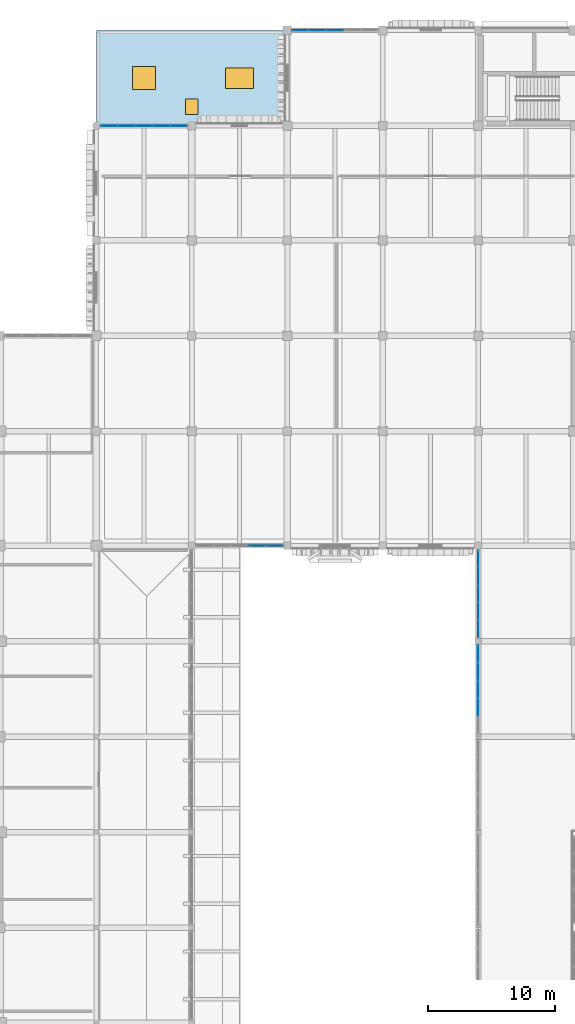
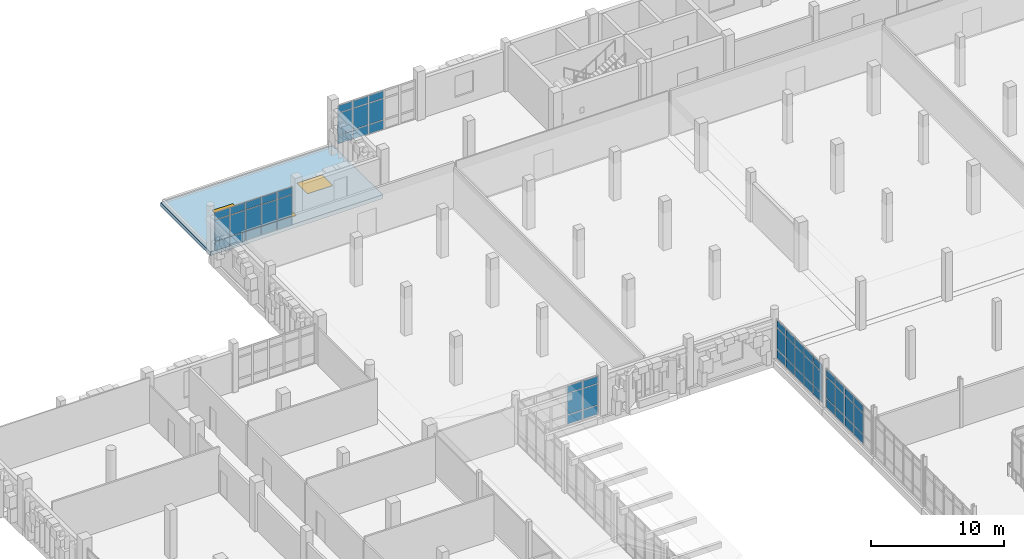
# One storey, part 83 of 128: 57 plates, 2 windows, 1 door, 1 slab, 3 openings, 5 elements without a shape of their own.
"""IFC4 building model written with IfcOpenShell, lengths in metres."""

from ifc_helpers import new_model, si_unit, direction, frame, origin, origin_2d, place, context, subcontext, project, spatial, polyline, rectangle, outline, extrude, material, layer, layer_set, type_object, element, fill, aggregate, save


model = new_model("IFC4")

# Units and contexts
model_context = context("Model", 3, precision=1e-05, world=origin(), true_north=direction((0.0, 1.0)))
body_context = subcontext(model_context, "Body", "Model", "MODEL_VIEW")
ifc_project = project(units=[si_unit("LENGTHUNIT", "METRE"), si_unit("AREAUNIT", "SQUARE_METRE"), si_unit("VOLUMEUNIT", "CUBIC_METRE"), si_unit("PLANEANGLEUNIT", "RADIAN"), si_unit("MASSUNIT", "GRAM", prefix="KILO")], contexts=[model_context])

# Site, building, storey
site_placement = place(None, origin())
site = spatial("IfcSite", under=ifc_project, at=site_placement, CompositionType="ELEMENT")
building_placement = place(site_placement, origin())
building = spatial("IfcBuilding", under=site, at=building_placement, Name="Dalvernix Boulevard General Hospital", CompositionType="ELEMENT")
storey_placement = place(building_placement, frame((0.0, 0.0, 4.800048828125)))
storey = spatial("IfcBuildingStorey", under=building, at=storey_placement, Name="L01", CompositionType="ELEMENT", Elevation=4.800048828125)

# Curtain wall, plates
ifc_material_1 = material(Name="Thermally broken aluminium and solar-control glass curtain wall", Category="aluminium")
ifc_layer_1 = layer(ifc_material_1, 0.159912109375)
ifc_layer_set_1 = layer_set([ifc_layer_1], Name="Thermally broken aluminium and solar-control glass curtain wall (CW-CW-A-69x36)")
curtain_wall_type_1 = type_object("IfcCurtainWallType", Name="CW-CW-A-69x36", PredefinedType="USERDEFINED", material=ifc_layer_set_1)
curtain_wall_1_placement = place(storey_placement, origin())
curtain_wall_1 = element("IfcCurtainWall", 1, at=curtain_wall_1_placement, inside=storey, type_object=curtain_wall_type_1, Name="L01 curtain wall CW-A-69x36 8-9", ObjectType="GLAZED FACADE", PredefinedType="USERDEFINED")
ifc_material_2 = material(Name="Double-glazed solar-control low-emissivity glass", Category="glass")
ifc_layer_2 = layer(ifc_material_2, 0.02392578125)
ifc_layer_set_2 = layer_set([ifc_layer_2], Name="Double-glazed solar-control low-emissivity glass (PLT-CW-P1)")
plate_type_1 = type_object("IfcPlateType", Name="PLT-CW-P1", PredefinedType="CURTAIN_PANEL", material=ifc_layer_set_2)
plate_1_placement = place(storey_placement, frame((60.0, 69.968017578125, 0.059814453125), z_axis=(0.0, 0.0, 1.0), x_axis=(0.0, 1.0, 0.0)))
plate_1 = element("IfcPlate", 2, at=plate_1_placement, type_object=plate_type_1, Name="CW-A-69x36 panel 1.1", PredefinedType="CURTAIN_PANEL", context=body_context, shape_type="SweptSolid", body=[
    extrude(rectangle(XDim=1.2958984375, YDim=0.02392578125, at=origin_2d()), origin(), (0.0, 0.0, 1.0), 0.81005859375),
])
plate_2_placement = place(storey_placement, frame((60.0, 69.968017578125, 0.929931640625), z_axis=(0.0, 0.0, 1.0), x_axis=(0.0, 1.0, 0.0)))
plate_2 = element("IfcPlate", 3, at=plate_2_placement, type_object=plate_type_1, Name="CW-A-69x36 panel 1.2", PredefinedType="CURTAIN_PANEL", context=body_context, shape_type="SweptSolid", body=[
    extrude(rectangle(XDim=1.2958984375, YDim=0.02392578125, at=origin_2d()), origin(), (0.0, 0.0, 1.0), 1.919921875),
])
plate_3_placement = place(storey_placement, frame((60.0, 69.968017578125, 2.91015625), z_axis=(0.0, 0.0, 1.0), x_axis=(0.0, 1.0, 0.0)))
plate_3 = element("IfcPlate", 4, at=plate_3_placement, type_object=plate_type_1, Name="CW-A-69x36 panel 1.3", PredefinedType="CURTAIN_PANEL", context=body_context, shape_type="SweptSolid", body=[
    extrude(rectangle(XDim=1.2958984375, YDim=0.02392578125, at=origin_2d()), origin(), (0.0, 0.0, 1.0), 0.659912109375),
])
plate_4_placement = place(storey_placement, frame((60.0, 71.339111328125, 0.059814453125), z_axis=(0.0, 0.0, 1.0), x_axis=(0.0, 1.0, 0.0)))
plate_4 = element("IfcPlate", 5, at=plate_4_placement, type_object=plate_type_1, Name="CW-A-69x36 panel 2.1", PredefinedType="CURTAIN_PANEL", context=body_context, shape_type="SweptSolid", body=[
    extrude(rectangle(XDim=1.325927734375, YDim=0.02392578125, at=origin_2d()), origin(), (0.0, 0.0, 1.0), 0.81005859375),
])
plate_5_placement = place(storey_placement, frame((60.0, 71.339111328125, 0.929931640625), z_axis=(0.0, 0.0, 1.0), x_axis=(0.0, 1.0, 0.0)))
plate_5 = element("IfcPlate", 6, at=plate_5_placement, type_object=plate_type_1, Name="CW-A-69x36 panel 2.2", PredefinedType="CURTAIN_PANEL", context=body_context, shape_type="SweptSolid", body=[
    extrude(rectangle(XDim=1.325927734375, YDim=0.02392578125, at=origin_2d()), origin(), (0.0, 0.0, 1.0), 1.919921875),
])
plate_6_placement = place(storey_placement, frame((60.0, 71.339111328125, 2.91015625), z_axis=(0.0, 0.0, 1.0), x_axis=(0.0, 1.0, 0.0)))
plate_6 = element("IfcPlate", 7, at=plate_6_placement, type_object=plate_type_1, Name="CW-A-69x36 panel 2.3", PredefinedType="CURTAIN_PANEL", context=body_context, shape_type="SweptSolid", body=[
    extrude(rectangle(XDim=1.325927734375, YDim=0.02392578125, at=origin_2d()), origin(), (0.0, 0.0, 1.0), 0.659912109375),
])
plate_7_placement = place(storey_placement, frame((60.0, 72.72509765625, 0.059814453125), z_axis=(0.0, 0.0, 1.0), x_axis=(0.0, 1.0, 0.0)))
plate_7 = element("IfcPlate", 8, at=plate_7_placement, type_object=plate_type_1, Name="CW-A-69x36 panel 3.1", PredefinedType="CURTAIN_PANEL", context=body_context, shape_type="SweptSolid", body=[
    extrude(rectangle(XDim=1.325927734375, YDim=0.02392578125, at=origin_2d()), origin(), (0.0, 0.0, 1.0), 0.81005859375),
])
plate_8_placement = place(storey_placement, frame((60.0, 72.72509765625, 0.929931640625), z_axis=(0.0, 0.0, 1.0), x_axis=(0.0, 1.0, 0.0)))
plate_8 = element("IfcPlate", 9, at=plate_8_placement, type_object=plate_type_1, Name="CW-A-69x36 panel 3.2", PredefinedType="CURTAIN_PANEL", context=body_context, shape_type="SweptSolid", body=[
    extrude(rectangle(XDim=1.325927734375, YDim=0.02392578125, at=origin_2d()), origin(), (0.0, 0.0, 1.0), 1.919921875),
])
plate_9_placement = place(storey_placement, frame((60.0, 72.72509765625, 2.91015625), z_axis=(0.0, 0.0, 1.0), x_axis=(0.0, 1.0, 0.0)))
plate_9 = element("IfcPlate", 10, at=plate_9_placement, type_object=plate_type_1, Name="CW-A-69x36 panel 3.3", PredefinedType="CURTAIN_PANEL", context=body_context, shape_type="SweptSolid", body=[
    extrude(rectangle(XDim=1.325927734375, YDim=0.02392578125, at=origin_2d()), origin(), (0.0, 0.0, 1.0), 0.659912109375),
])
plate_10_placement = place(storey_placement, frame((60.0, 74.111083984375, 0.059814453125), z_axis=(0.0, 0.0, 1.0), x_axis=(0.0, 1.0, 0.0)))
plate_10 = element("IfcPlate", 11, at=plate_10_placement, type_object=plate_type_1, Name="CW-A-69x36 panel 4.1", PredefinedType="CURTAIN_PANEL", context=body_context, shape_type="SweptSolid", body=[
    extrude(rectangle(XDim=1.325927734375, YDim=0.02392578125, at=origin_2d()), origin(), (0.0, 0.0, 1.0), 0.81005859375),
])
plate_11_placement = place(storey_placement, frame((60.0, 74.111083984375, 0.929931640625), z_axis=(0.0, 0.0, 1.0), x_axis=(0.0, 1.0, 0.0)))
plate_11 = element("IfcPlate", 12, at=plate_11_placement, type_object=plate_type_1, Name="CW-A-69x36 panel 4.2", PredefinedType="CURTAIN_PANEL", context=body_context, shape_type="SweptSolid", body=[
    extrude(rectangle(XDim=1.325927734375, YDim=0.02392578125, at=origin_2d()), origin(), (0.0, 0.0, 1.0), 1.919921875),
])
plate_12_placement = place(storey_placement, frame((60.0, 74.111083984375, 2.91015625), z_axis=(0.0, 0.0, 1.0), x_axis=(0.0, 1.0, 0.0)))
plate_12 = element("IfcPlate", 13, at=plate_12_placement, type_object=plate_type_1, Name="CW-A-69x36 panel 4.3", PredefinedType="CURTAIN_PANEL", context=body_context, shape_type="SweptSolid", body=[
    extrude(rectangle(XDim=1.325927734375, YDim=0.02392578125, at=origin_2d()), origin(), (0.0, 0.0, 1.0), 0.659912109375),
])
plate_13_placement = place(storey_placement, frame((60.0, 75.48193359375, 0.059814453125), z_axis=(0.0, 0.0, 1.0), x_axis=(0.0, 1.0, 0.0)))
plate_13 = element("IfcPlate", 14, at=plate_13_placement, type_object=plate_type_1, Name="CW-A-69x36 panel 5.1", PredefinedType="CURTAIN_PANEL", context=body_context, shape_type="SweptSolid", body=[
    extrude(rectangle(XDim=1.2958984375, YDim=0.02392578125, at=origin_2d()), origin(), (0.0, 0.0, 1.0), 0.81005859375),
])
plate_14_placement = place(storey_placement, frame((60.0, 75.48193359375, 0.929931640625), z_axis=(0.0, 0.0, 1.0), x_axis=(0.0, 1.0, 0.0)))
plate_14 = element("IfcPlate", 15, at=plate_14_placement, type_object=plate_type_1, Name="CW-A-69x36 panel 5.2", PredefinedType="CURTAIN_PANEL", context=body_context, shape_type="SweptSolid", body=[
    extrude(rectangle(XDim=1.2958984375, YDim=0.02392578125, at=origin_2d()), origin(), (0.0, 0.0, 1.0), 1.919921875),
])
plate_15_placement = place(storey_placement, frame((60.0, 75.48193359375, 2.91015625), z_axis=(0.0, 0.0, 1.0), x_axis=(0.0, 1.0, 0.0)))
plate_15 = element("IfcPlate", 16, at=plate_15_placement, type_object=plate_type_1, Name="CW-A-69x36 panel 5.3", PredefinedType="CURTAIN_PANEL", context=body_context, shape_type="SweptSolid", body=[
    extrude(rectangle(XDim=1.2958984375, YDim=0.02392578125, at=origin_2d()), origin(), (0.0, 0.0, 1.0), 0.659912109375),
])
aggregate(curtain_wall_1, [plate_1, plate_2, plate_3, plate_4, plate_5, plate_6, plate_7, plate_8, plate_9, plate_10, plate_11, plate_12, plate_13, plate_14, plate_15])

ifc_layer_3 = layer(ifc_material_1, 0.179931640625)
ifc_layer_set_3 = layer_set([ifc_layer_3], Name="Thermally broken aluminium and solar-control glass curtain wall (CW-CW-B-69x36)")
curtain_wall_type_2 = type_object("IfcCurtainWallType", Name="CW-CW-B-69x36", PredefinedType="USERDEFINED", material=ifc_layer_set_3)
curtain_wall_2_placement = place(storey_placement, origin())
curtain_wall_2 = element("IfcCurtainWall", 17, at=curtain_wall_2_placement, inside=storey, type_object=curtain_wall_type_2, Name="L01 curtain wall CW-B-69x36 4-14", ObjectType="GLAZED FACADE", PredefinedType="USERDEFINED")
ifc_layer_4 = layer(ifc_material_2, 0.028076171875)
ifc_layer_set_4 = layer_set([ifc_layer_4], Name="Double-glazed solar-control low-emissivity glass (PLT-CW-P2)")
plate_type_2 = type_object("IfcPlateType", Name="PLT-CW-P2", PredefinedType="CURTAIN_PANEL", material=ifc_layer_set_4)
plate_16_placement = place(storey_placement, frame((31.01171875, 109.5, 0.06494140625), z_axis=(0.0, 0.0, 1.0), x_axis=(1.0, 0.0, 0.0)))
plate_16 = element("IfcPlate", 18, at=plate_16_placement, type_object=plate_type_2, Name="CW-B-69x36 panel 1.1", PredefinedType="CURTAIN_PANEL", context=body_context, shape_type="SweptSolid", body=[
    extrude(rectangle(XDim=1.2734375, YDim=0.028076171875, at=origin_2d()), origin(), (0.0, 0.0, 1.0), 0.802490234375),
])
plate_17_placement = place(storey_placement, frame((31.01171875, 109.5, 0.932373046875), z_axis=(0.0, 0.0, 1.0), x_axis=(1.0, 0.0, 0.0)))
plate_17 = element("IfcPlate", 19, at=plate_17_placement, type_object=plate_type_2, Name="CW-B-69x36 panel 1.2", PredefinedType="CURTAIN_PANEL", context=body_context, shape_type="SweptSolid", body=[
    extrude(rectangle(XDim=1.2734375, YDim=0.028076171875, at=origin_2d()), origin(), (0.0, 0.0, 1.0), 1.9150390625),
])
plate_18_placement = place(storey_placement, frame((31.01171875, 109.5, 2.91259765625), z_axis=(0.0, 0.0, 1.0), x_axis=(1.0, 0.0, 0.0)))
plate_18 = element("IfcPlate", 20, at=plate_18_placement, type_object=plate_type_2, Name="CW-B-69x36 panel 1.3", PredefinedType="CURTAIN_PANEL", context=body_context, shape_type="SweptSolid", body=[
    extrude(rectangle(XDim=1.2734375, YDim=0.028076171875, at=origin_2d()), origin(), (0.0, 0.0, 1.0), 0.652587890625),
])
plate_19_placement = place(storey_placement, frame((32.366455078125, 109.5, 0.06494140625), z_axis=(0.0, 0.0, 1.0), x_axis=(1.0, 0.0, 0.0)))
plate_19 = element("IfcPlate", 21, at=plate_19_placement, type_object=plate_type_2, Name="CW-B-69x36 panel 2.1", PredefinedType="CURTAIN_PANEL", context=body_context, shape_type="SweptSolid", body=[
    extrude(rectangle(XDim=1.305908203125, YDim=0.028076171875, at=origin_2d()), origin(), (0.0, 0.0, 1.0), 0.802490234375),
])
plate_20_placement = place(storey_placement, frame((32.366455078125, 109.5, 0.932373046875), z_axis=(0.0, 0.0, 1.0), x_axis=(1.0, 0.0, 0.0)))
plate_20 = element("IfcPlate", 22, at=plate_20_placement, type_object=plate_type_2, Name="CW-B-69x36 panel 2.2", PredefinedType="CURTAIN_PANEL", context=body_context, shape_type="SweptSolid", body=[
    extrude(rectangle(XDim=1.305908203125, YDim=0.028076171875, at=origin_2d()), origin(), (0.0, 0.0, 1.0), 1.9150390625),
])
plate_21_placement = place(storey_placement, frame((32.366455078125, 109.5, 2.91259765625), z_axis=(0.0, 0.0, 1.0), x_axis=(1.0, 0.0, 0.0)))
plate_21 = element("IfcPlate", 23, at=plate_21_placement, type_object=plate_type_2, Name="CW-B-69x36 panel 2.3", PredefinedType="CURTAIN_PANEL", context=body_context, shape_type="SweptSolid", body=[
    extrude(rectangle(XDim=1.305908203125, YDim=0.028076171875, at=origin_2d()), origin(), (0.0, 0.0, 1.0), 0.652587890625),
])
plate_22_placement = place(storey_placement, frame((33.737548828125, 109.5, 0.06494140625), z_axis=(0.0, 0.0, 1.0), x_axis=(1.0, 0.0, 0.0)))
plate_22 = element("IfcPlate", 24, at=plate_22_placement, type_object=plate_type_2, Name="CW-B-69x36 panel 3.1", PredefinedType="CURTAIN_PANEL", context=body_context, shape_type="SweptSolid", body=[
    extrude(rectangle(XDim=1.305908203125, YDim=0.028076171875, at=origin_2d()), origin(), (0.0, 0.0, 1.0), 0.802490234375),
])
plate_23_placement = place(storey_placement, frame((33.737548828125, 109.5, 0.932373046875), z_axis=(0.0, 0.0, 1.0), x_axis=(1.0, 0.0, 0.0)))
plate_23 = element("IfcPlate", 25, at=plate_23_placement, type_object=plate_type_2, Name="CW-B-69x36 panel 3.2", PredefinedType="CURTAIN_PANEL", context=body_context, shape_type="SweptSolid", body=[
    extrude(rectangle(XDim=1.305908203125, YDim=0.028076171875, at=origin_2d()), origin(), (0.0, 0.0, 1.0), 1.9150390625),
])
plate_24_placement = place(storey_placement, frame((33.737548828125, 109.5, 2.91259765625), z_axis=(0.0, 0.0, 1.0), x_axis=(1.0, 0.0, 0.0)))
plate_24 = element("IfcPlate", 26, at=plate_24_placement, type_object=plate_type_2, Name="CW-B-69x36 panel 3.3", PredefinedType="CURTAIN_PANEL", context=body_context, shape_type="SweptSolid", body=[
    extrude(rectangle(XDim=1.305908203125, YDim=0.028076171875, at=origin_2d()), origin(), (0.0, 0.0, 1.0), 0.652587890625),
])
plate_25_placement = place(storey_placement, frame((35.1083984375, 109.5, 0.06494140625), z_axis=(0.0, 0.0, 1.0), x_axis=(1.0, 0.0, 0.0)))
plate_25 = element("IfcPlate", 27, at=plate_25_placement, type_object=plate_type_2, Name="CW-B-69x36 panel 4.1", PredefinedType="CURTAIN_PANEL", context=body_context, shape_type="SweptSolid", body=[
    extrude(rectangle(XDim=1.305908203125, YDim=0.028076171875, at=origin_2d()), origin(), (0.0, 0.0, 1.0), 0.802490234375),
])
plate_26_placement = place(storey_placement, frame((35.1083984375, 109.5, 0.932373046875), z_axis=(0.0, 0.0, 1.0), x_axis=(1.0, 0.0, 0.0)))
plate_26 = element("IfcPlate", 28, at=plate_26_placement, type_object=plate_type_2, Name="CW-B-69x36 panel 4.2", PredefinedType="CURTAIN_PANEL", context=body_context, shape_type="SweptSolid", body=[
    extrude(rectangle(XDim=1.305908203125, YDim=0.028076171875, at=origin_2d()), origin(), (0.0, 0.0, 1.0), 1.9150390625),
])
plate_27_placement = place(storey_placement, frame((35.1083984375, 109.5, 2.91259765625), z_axis=(0.0, 0.0, 1.0), x_axis=(1.0, 0.0, 0.0)))
plate_27 = element("IfcPlate", 29, at=plate_27_placement, type_object=plate_type_2, Name="CW-B-69x36 panel 4.3", PredefinedType="CURTAIN_PANEL", context=body_context, shape_type="SweptSolid", body=[
    extrude(rectangle(XDim=1.305908203125, YDim=0.028076171875, at=origin_2d()), origin(), (0.0, 0.0, 1.0), 0.652587890625),
])
plate_28_placement = place(storey_placement, frame((36.463134765625, 109.5, 0.06494140625), z_axis=(0.0, 0.0, 1.0), x_axis=(1.0, 0.0, 0.0)))
plate_28 = element("IfcPlate", 30, at=plate_28_placement, type_object=plate_type_2, Name="CW-B-69x36 panel 5.1", PredefinedType="CURTAIN_PANEL", context=body_context, shape_type="SweptSolid", body=[
    extrude(rectangle(XDim=1.2734375, YDim=0.028076171875, at=origin_2d()), origin(), (0.0, 0.0, 1.0), 0.802490234375),
])
plate_29_placement = place(storey_placement, frame((36.463134765625, 109.5, 0.932373046875), z_axis=(0.0, 0.0, 1.0), x_axis=(1.0, 0.0, 0.0)))
plate_29 = element("IfcPlate", 31, at=plate_29_placement, type_object=plate_type_2, Name="CW-B-69x36 panel 5.2", PredefinedType="CURTAIN_PANEL", context=body_context, shape_type="SweptSolid", body=[
    extrude(rectangle(XDim=1.2734375, YDim=0.028076171875, at=origin_2d()), origin(), (0.0, 0.0, 1.0), 1.9150390625),
])
plate_30_placement = place(storey_placement, frame((36.463134765625, 109.5, 2.91259765625), z_axis=(0.0, 0.0, 1.0), x_axis=(1.0, 0.0, 0.0)))
plate_30 = element("IfcPlate", 32, at=plate_30_placement, type_object=plate_type_2, Name="CW-B-69x36 panel 5.3", PredefinedType="CURTAIN_PANEL", context=body_context, shape_type="SweptSolid", body=[
    extrude(rectangle(XDim=1.2734375, YDim=0.028076171875, at=origin_2d()), origin(), (0.0, 0.0, 1.0), 0.652587890625),
])
aggregate(curtain_wall_2, [plate_16, plate_17, plate_18, plate_19, plate_20, plate_21, plate_22, plate_23, plate_24, plate_25, plate_26, plate_27, plate_28, plate_29, plate_30])

curtain_wall_3_placement = place(storey_placement, origin())
curtain_wall_3 = element("IfcCurtainWall", 33, at=curtain_wall_3_placement, inside=storey, type_object=curtain_wall_type_2, Name="L01 curtain wall CW-B-69x36 5-10", ObjectType="GLAZED FACADE", PredefinedType="USERDEFINED")
plate_31_placement = place(storey_placement, frame((43.98583984375, 76.5, 0.06494140625), z_axis=(0.0, 0.0, 1.0), x_axis=(-1.0, 0.0, 0.0)))
plate_31 = element("IfcPlate", 34, at=plate_31_placement, type_object=plate_type_2, Name="CW-B-69x36 panel 1.1", PredefinedType="CURTAIN_PANEL", context=body_context, shape_type="SweptSolid", body=[
    extrude(rectangle(XDim=1.278564453125, YDim=0.028076171875, at=origin_2d()), origin(), (0.0, 0.0, 1.0), 0.802490234375),
])
plate_32_placement = place(storey_placement, frame((43.98583984375, 76.5, 0.932373046875), z_axis=(0.0, 0.0, 1.0), x_axis=(-1.0, 0.0, 0.0)))
plate_32 = element("IfcPlate", 35, at=plate_32_placement, type_object=plate_type_2, Name="CW-B-69x36 panel 1.2", PredefinedType="CURTAIN_PANEL", context=body_context, shape_type="SweptSolid", body=[
    extrude(rectangle(XDim=1.278564453125, YDim=0.028076171875, at=origin_2d()), origin(), (0.0, 0.0, 1.0), 1.9150390625),
])
plate_33_placement = place(storey_placement, frame((43.98583984375, 76.5, 2.91259765625), z_axis=(0.0, 0.0, 1.0), x_axis=(-1.0, 0.0, 0.0)))
plate_33 = element("IfcPlate", 36, at=plate_33_placement, type_object=plate_type_2, Name="CW-B-69x36 panel 1.3", PredefinedType="CURTAIN_PANEL", context=body_context, shape_type="SweptSolid", body=[
    extrude(rectangle(XDim=1.278564453125, YDim=0.028076171875, at=origin_2d()), origin(), (0.0, 0.0, 1.0), 0.652587890625),
])
plate_34_placement = place(storey_placement, frame((42.6259765625, 76.5, 0.06494140625), z_axis=(0.0, 0.0, 1.0), x_axis=(-1.0, 0.0, 0.0)))
plate_34 = element("IfcPlate", 37, at=plate_34_placement, type_object=plate_type_2, Name="CW-B-69x36 panel 2.1", PredefinedType="CURTAIN_PANEL", context=body_context, shape_type="SweptSolid", body=[
    extrude(rectangle(XDim=1.31103515625, YDim=0.028076171875, at=origin_2d()), origin(), (0.0, 0.0, 1.0), 0.802490234375),
])
plate_35_placement = place(storey_placement, frame((42.6259765625, 76.5, 0.932373046875), z_axis=(0.0, 0.0, 1.0), x_axis=(-1.0, 0.0, 0.0)))
plate_35 = element("IfcPlate", 38, at=plate_35_placement, type_object=plate_type_2, Name="CW-B-69x36 panel 2.2", PredefinedType="CURTAIN_PANEL", context=body_context, shape_type="SweptSolid", body=[
    extrude(rectangle(XDim=1.31103515625, YDim=0.028076171875, at=origin_2d()), origin(), (0.0, 0.0, 1.0), 1.9150390625),
])
plate_36_placement = place(storey_placement, frame((42.6259765625, 76.5, 2.91259765625), z_axis=(0.0, 0.0, 1.0), x_axis=(-1.0, 0.0, 0.0)))
plate_36 = element("IfcPlate", 39, at=plate_36_placement, type_object=plate_type_2, Name="CW-B-69x36 panel 2.3", PredefinedType="CURTAIN_PANEL", context=body_context, shape_type="SweptSolid", body=[
    extrude(rectangle(XDim=1.31103515625, YDim=0.028076171875, at=origin_2d()), origin(), (0.0, 0.0, 1.0), 0.652587890625),
])
aggregate(curtain_wall_3, [plate_31, plate_32, plate_33, plate_34, plate_35, plate_36])

ifc_layer_5 = layer(ifc_material_1, 0.179931640625)
ifc_layer_set_5 = layer_set([ifc_layer_5], Name="Thermally broken aluminium and solar-control glass curtain wall (CW-CW-B-68x36)")
curtain_wall_type_3 = type_object("IfcCurtainWallType", Name="CW-CW-B-68x36", PredefinedType="USERDEFINED", material=ifc_layer_set_5)
curtain_wall_4_placement = place(storey_placement, origin())
curtain_wall_4 = element("IfcCurtainWall", 40, at=curtain_wall_4_placement, inside=storey, type_object=curtain_wall_type_3, Name="L01 curtain wall CW-B-68x36 6-15", ObjectType="GLAZED FACADE", PredefinedType="USERDEFINED")
plate_37_placement = place(storey_placement, frame((46.03173828125, 117.0, 0.06494140625), z_axis=(0.0, 0.0, 1.0), x_axis=(1.0, 0.0, 0.0)))
plate_37 = element("IfcPlate", 41, at=plate_37_placement, type_object=plate_type_2, Name="CW-B-68x36 panel 1.1", PredefinedType="CURTAIN_PANEL", context=body_context, shape_type="SweptSolid", body=[
    extrude(rectangle(XDim=1.263427734375, YDim=0.028076171875, at=origin_2d()), origin(), (0.0, 0.0, 1.0), 0.802490234375),
])
plate_38_placement = place(storey_placement, frame((46.03173828125, 117.0, 0.932373046875), z_axis=(0.0, 0.0, 1.0), x_axis=(1.0, 0.0, 0.0)))
plate_38 = element("IfcPlate", 42, at=plate_38_placement, type_object=plate_type_2, Name="CW-B-68x36 panel 1.2", PredefinedType="CURTAIN_PANEL", context=body_context, shape_type="SweptSolid", body=[
    extrude(rectangle(XDim=1.263427734375, YDim=0.028076171875, at=origin_2d()), origin(), (0.0, 0.0, 1.0), 1.9150390625),
])
plate_39_placement = place(storey_placement, frame((46.03173828125, 117.0, 2.91259765625), z_axis=(0.0, 0.0, 1.0), x_axis=(1.0, 0.0, 0.0)))
plate_39 = element("IfcPlate", 43, at=plate_39_placement, type_object=plate_type_2, Name="CW-B-68x36 panel 1.3", PredefinedType="CURTAIN_PANEL", context=body_context, shape_type="SweptSolid", body=[
    extrude(rectangle(XDim=1.263427734375, YDim=0.028076171875, at=origin_2d()), origin(), (0.0, 0.0, 1.0), 0.652587890625),
])
plate_40_placement = place(storey_placement, frame((47.37646484375, 117.0, 0.06494140625), z_axis=(0.0, 0.0, 1.0), x_axis=(1.0, 0.0, 0.0)))
plate_40 = element("IfcPlate", 44, at=plate_40_placement, type_object=plate_type_2, Name="CW-B-68x36 panel 2.1", PredefinedType="CURTAIN_PANEL", context=body_context, shape_type="SweptSolid", body=[
    extrude(rectangle(XDim=1.2958984375, YDim=0.028076171875, at=origin_2d()), origin(), (0.0, 0.0, 1.0), 0.802490234375),
])
plate_41_placement = place(storey_placement, frame((47.37646484375, 117.0, 0.932373046875), z_axis=(0.0, 0.0, 1.0), x_axis=(1.0, 0.0, 0.0)))
plate_41 = element("IfcPlate", 45, at=plate_41_placement, type_object=plate_type_2, Name="CW-B-68x36 panel 2.2", PredefinedType="CURTAIN_PANEL", context=body_context, shape_type="SweptSolid", body=[
    extrude(rectangle(XDim=1.2958984375, YDim=0.028076171875, at=origin_2d()), origin(), (0.0, 0.0, 1.0), 1.9150390625),
])
plate_42_placement = place(storey_placement, frame((47.37646484375, 117.0, 2.91259765625), z_axis=(0.0, 0.0, 1.0), x_axis=(1.0, 0.0, 0.0)))
plate_42 = element("IfcPlate", 46, at=plate_42_placement, type_object=plate_type_2, Name="CW-B-68x36 panel 2.3", PredefinedType="CURTAIN_PANEL", context=body_context, shape_type="SweptSolid", body=[
    extrude(rectangle(XDim=1.2958984375, YDim=0.028076171875, at=origin_2d()), origin(), (0.0, 0.0, 1.0), 0.652587890625),
])
plate_43_placement = place(storey_placement, frame((48.737548828125, 117.0, 0.06494140625), z_axis=(0.0, 0.0, 1.0), x_axis=(1.0, 0.0, 0.0)))
plate_43 = element("IfcPlate", 47, at=plate_43_placement, type_object=plate_type_2, Name="CW-B-68x36 panel 3.1", PredefinedType="CURTAIN_PANEL", context=body_context, shape_type="SweptSolid", body=[
    extrude(rectangle(XDim=1.2958984375, YDim=0.028076171875, at=origin_2d()), origin(), (0.0, 0.0, 1.0), 0.802490234375),
])
plate_44_placement = place(storey_placement, frame((48.737548828125, 117.0, 0.932373046875), z_axis=(0.0, 0.0, 1.0), x_axis=(1.0, 0.0, 0.0)))
plate_44 = element("IfcPlate", 48, at=plate_44_placement, type_object=plate_type_2, Name="CW-B-68x36 panel 3.2", PredefinedType="CURTAIN_PANEL", context=body_context, shape_type="SweptSolid", body=[
    extrude(rectangle(XDim=1.2958984375, YDim=0.028076171875, at=origin_2d()), origin(), (0.0, 0.0, 1.0), 1.9150390625),
])
plate_45_placement = place(storey_placement, frame((48.737548828125, 117.0, 2.91259765625), z_axis=(0.0, 0.0, 1.0), x_axis=(1.0, 0.0, 0.0)))
plate_45 = element("IfcPlate", 49, at=plate_45_placement, type_object=plate_type_2, Name="CW-B-68x36 panel 3.3", PredefinedType="CURTAIN_PANEL", context=body_context, shape_type="SweptSolid", body=[
    extrude(rectangle(XDim=1.2958984375, YDim=0.028076171875, at=origin_2d()), origin(), (0.0, 0.0, 1.0), 0.652587890625),
])
aggregate(curtain_wall_4, [plate_37, plate_38, plate_39, plate_40, plate_41, plate_42, plate_43, plate_44, plate_45])

ifc_layer_6 = layer(ifc_material_1, 0.199951171875)
ifc_layer_set_6 = layer_set([ifc_layer_6], Name="Thermally broken aluminium and solar-control glass curtain wall (CW-CW-C-70x36)")
curtain_wall_type_4 = type_object("IfcCurtainWallType", Name="CW-CW-C-70x36", PredefinedType="USERDEFINED", material=ifc_layer_set_6)
curtain_wall_5_placement = place(storey_placement, origin())
curtain_wall_5 = element("IfcCurtainWall", 50, at=curtain_wall_5_placement, inside=storey, type_object=curtain_wall_type_4, Name="L01 curtain wall CW-C-70x36 8-8", ObjectType="GLAZED FACADE", PredefinedType="USERDEFINED")
ifc_layer_7 = layer(ifc_material_2, 0.035888671875)
ifc_layer_set_7 = layer_set([ifc_layer_7], Name="Double-glazed solar-control low-emissivity glass (PLT-CW-P3)")
plate_type_3 = type_object("IfcPlateType", Name="PLT-CW-P3", PredefinedType="CURTAIN_PANEL", material=ifc_layer_set_7)
plate_46_placement = place(storey_placement, frame((60.0, 63.804931640625, 0.070068359375), z_axis=(0.0, 0.0, 1.0), x_axis=(0.0, 1.0, 0.0)))
plate_46 = element("IfcPlate", 51, at=plate_46_placement, type_object=plate_type_3, Name="CW-C-70x36 panel 2.1", PredefinedType="CURTAIN_PANEL", context=body_context, shape_type="SweptSolid", body=[
    extrude(rectangle(XDim=1.340087890625, YDim=0.035888671875, at=origin_2d()), origin(), (0.0, 0.0, 1.0), 0.794921875),
])
plate_47_placement = place(storey_placement, frame((60.0, 63.804931640625, 0.93505859375), z_axis=(0.0, 0.0, 1.0), x_axis=(0.0, 1.0, 0.0)))
plate_47 = element("IfcPlate", 52, at=plate_47_placement, type_object=plate_type_3, Name="CW-C-70x36 panel 2.2", PredefinedType="CURTAIN_PANEL", context=body_context, shape_type="SweptSolid", body=[
    extrude(rectangle(XDim=1.340087890625, YDim=0.035888671875, at=origin_2d()), origin(), (0.0, 0.0, 1.0), 1.909912109375),
])
plate_48_placement = place(storey_placement, frame((60.0, 63.804931640625, 2.9150390625), z_axis=(0.0, 0.0, 1.0), x_axis=(0.0, 1.0, 0.0)))
plate_48 = element("IfcPlate", 53, at=plate_48_placement, type_object=plate_type_3, Name="CW-C-70x36 panel 2.3", PredefinedType="CURTAIN_PANEL", context=body_context, shape_type="SweptSolid", body=[
    extrude(rectangle(XDim=1.340087890625, YDim=0.035888671875, at=origin_2d()), origin(), (0.0, 0.0, 1.0), 0.64501953125),
])
plate_49_placement = place(storey_placement, frame((60.0, 65.215087890625, 0.070068359375), z_axis=(0.0, 0.0, 1.0), x_axis=(0.0, 1.0, 0.0)))
plate_49 = element("IfcPlate", 54, at=plate_49_placement, type_object=plate_type_3, Name="CW-C-70x36 panel 3.1", PredefinedType="CURTAIN_PANEL", context=body_context, shape_type="SweptSolid", body=[
    extrude(rectangle(XDim=1.340087890625, YDim=0.035888671875, at=origin_2d()), origin(), (0.0, 0.0, 1.0), 0.794921875),
])
plate_50_placement = place(storey_placement, frame((60.0, 65.215087890625, 0.93505859375), z_axis=(0.0, 0.0, 1.0), x_axis=(0.0, 1.0, 0.0)))
plate_50 = element("IfcPlate", 55, at=plate_50_placement, type_object=plate_type_3, Name="CW-C-70x36 panel 3.2", PredefinedType="CURTAIN_PANEL", context=body_context, shape_type="SweptSolid", body=[
    extrude(rectangle(XDim=1.340087890625, YDim=0.035888671875, at=origin_2d()), origin(), (0.0, 0.0, 1.0), 1.909912109375),
])
plate_51_placement = place(storey_placement, frame((60.0, 65.215087890625, 2.9150390625), z_axis=(0.0, 0.0, 1.0), x_axis=(0.0, 1.0, 0.0)))
plate_51 = element("IfcPlate", 56, at=plate_51_placement, type_object=plate_type_3, Name="CW-C-70x36 panel 3.3", PredefinedType="CURTAIN_PANEL", context=body_context, shape_type="SweptSolid", body=[
    extrude(rectangle(XDim=1.340087890625, YDim=0.035888671875, at=origin_2d()), origin(), (0.0, 0.0, 1.0), 0.64501953125),
])
plate_52_placement = place(storey_placement, frame((60.0, 66.625, 0.070068359375), z_axis=(0.0, 0.0, 1.0), x_axis=(0.0, 1.0, 0.0)))
plate_52 = element("IfcPlate", 57, at=plate_52_placement, type_object=plate_type_3, Name="CW-C-70x36 panel 4.1", PredefinedType="CURTAIN_PANEL", context=body_context, shape_type="SweptSolid", body=[
    extrude(rectangle(XDim=1.340087890625, YDim=0.035888671875, at=origin_2d()), origin(), (0.0, 0.0, 1.0), 0.794921875),
])
plate_53_placement = place(storey_placement, frame((60.0, 66.625, 0.93505859375), z_axis=(0.0, 0.0, 1.0), x_axis=(0.0, 1.0, 0.0)))
plate_53 = element("IfcPlate", 58, at=plate_53_placement, type_object=plate_type_3, Name="CW-C-70x36 panel 4.2", PredefinedType="CURTAIN_PANEL", context=body_context, shape_type="SweptSolid", body=[
    extrude(rectangle(XDim=1.340087890625, YDim=0.035888671875, at=origin_2d()), origin(), (0.0, 0.0, 1.0), 1.909912109375),
])
plate_54_placement = place(storey_placement, frame((60.0, 66.625, 2.9150390625), z_axis=(0.0, 0.0, 1.0), x_axis=(0.0, 1.0, 0.0)))
plate_54 = element("IfcPlate", 59, at=plate_54_placement, type_object=plate_type_3, Name="CW-C-70x36 panel 4.3", PredefinedType="CURTAIN_PANEL", context=body_context, shape_type="SweptSolid", body=[
    extrude(rectangle(XDim=1.340087890625, YDim=0.035888671875, at=origin_2d()), origin(), (0.0, 0.0, 1.0), 0.64501953125),
])
plate_55_placement = place(storey_placement, frame((60.0, 68.017578125, 0.070068359375), z_axis=(0.0, 0.0, 1.0), x_axis=(0.0, 1.0, 0.0)))
plate_55 = element("IfcPlate", 60, at=plate_55_placement, type_object=plate_type_3, Name="CW-C-70x36 panel 5.1", PredefinedType="CURTAIN_PANEL", context=body_context, shape_type="SweptSolid", body=[
    extrude(rectangle(XDim=1.304931640625, YDim=0.035888671875, at=origin_2d()), origin(), (0.0, 0.0, 1.0), 0.794921875),
])
plate_56_placement = place(storey_placement, frame((60.0, 68.017578125, 0.93505859375), z_axis=(0.0, 0.0, 1.0), x_axis=(0.0, 1.0, 0.0)))
plate_56 = element("IfcPlate", 61, at=plate_56_placement, type_object=plate_type_3, Name="CW-C-70x36 panel 5.2", PredefinedType="CURTAIN_PANEL", context=body_context, shape_type="SweptSolid", body=[
    extrude(rectangle(XDim=1.304931640625, YDim=0.035888671875, at=origin_2d()), origin(), (0.0, 0.0, 1.0), 1.909912109375),
])
plate_57_placement = place(storey_placement, frame((60.0, 68.017578125, 2.9150390625), z_axis=(0.0, 0.0, 1.0), x_axis=(0.0, 1.0, 0.0)))
plate_57 = element("IfcPlate", 62, at=plate_57_placement, type_object=plate_type_3, Name="CW-C-70x36 panel 5.3", PredefinedType="CURTAIN_PANEL", context=body_context, shape_type="SweptSolid", body=[
    extrude(rectangle(XDim=1.304931640625, YDim=0.035888671875, at=origin_2d()), origin(), (0.0, 0.0, 1.0), 0.64501953125),
])
aggregate(curtain_wall_5, [plate_46, plate_47, plate_48, plate_49, plate_50, plate_51, plate_52, plate_53, plate_54, plate_55, plate_56, plate_57])

# Slab, openings, door, windows
ifc_material_3 = material(Name="Concrete C35/45", Category="concrete")
ifc_layer_8 = layer(ifc_material_3, 0.219970703125)
ifc_layer_set_8 = layer_set([ifc_layer_8], Name="Concrete C35/45 (SLB-RS-01)")
slab_type = type_object("IfcSlabType", Name="SLB-RS-01", PredefinedType="ROOF", material=ifc_layer_set_8)
slab_placement = place(storey_placement, frame((0.0, 0.0, -0.280029296875)))
slab = element("IfcSlab", 63, at=slab_placement, inside=storey, type_object=slab_type, Name="L01 clinical skylight roof slab V3NW", PredefinedType="ROOF", context=body_context, shape_type="SweptSolid", body=[
    extrude(outline(polyline([(30.0, 109.5), (45.0, 109.5), (45.0, 117.0), (30.0, 117.0), (30.0, 109.5)]), holes=[polyline([(32.85009765625, 112.35009765625), (34.64990234375, 112.35009765625), (34.64990234375, 114.14990234375), (32.85009765625, 114.14990234375), (32.85009765625, 112.35009765625)]), polyline([(40.14990234375, 112.449951171875), (42.35009765625, 112.449951171875), (42.35009765625, 114.050048828125), (40.14990234375, 114.050048828125), (40.14990234375, 112.449951171875)]), polyline([(37.0, 110.39990234375), (38.0, 110.39990234375), (38.0, 111.60009765625), (37.0, 111.60009765625), (37.0, 110.39990234375)])]), origin(), (0.0, 0.0, 1.0), 0.35986328125),
])
opening_1_placement = place(slab_placement, frame((33.75, 113.25, 0.0)))
opening_1 = element("IfcOpeningElement", 64, at=opening_1_placement, cuts=slab, Name="Opening SK-01", PredefinedType="OPENING", context=body_context, shape_type="SweptSolid", body=[
    extrude(rectangle(XDim=1.800048828125, YDim=1.800048828125, at=origin_2d()), origin(), (0.0, 0.0, 1.0), 0.35986328125),
])
opening_2_placement = place(slab_placement, frame((41.25, 113.25, 0.0)))
opening_2 = element("IfcOpeningElement", 65, at=opening_2_placement, cuts=slab, Name="Opening SK-02", PredefinedType="OPENING", context=body_context, shape_type="SweptSolid", body=[
    extrude(rectangle(XDim=2.199951171875, YDim=1.60009765625, at=origin_2d()), origin(), (0.0, 0.0, 1.0), 0.35986328125),
])
opening_3_placement = place(slab_placement, frame((37.5, 111.0, 0.0)))
opening_3 = element("IfcOpeningElement", 66, at=opening_3_placement, cuts=slab, Name="Opening RH-01", PredefinedType="OPENING", context=body_context, shape_type="SweptSolid", body=[
    extrude(rectangle(XDim=1.0, YDim=1.199951171875, at=origin_2d()), origin(), (0.0, 0.0, 1.0), 0.35986328125),
])
ifc_material_4 = material(Name="Galvanized painted steel", Category="steel")
door_type = type_object("IfcDoorType", Name="DR-RH-01", OperationType="SINGLE_SWING_LEFT", PredefinedType="TRAPDOOR", material=ifc_material_4)
door_placement = place(opening_3_placement, frame((0.0, 0.0, 0.309814453125)))
door = element("IfcDoor", 67, at=door_placement, inside=storey, type_object=door_type, Name="L01 roof access trapdoor V3NW-3", OperationType="SINGLE_SWING_LEFT", OverallHeight=1.199951171875, OverallWidth=1.0, PredefinedType="TRAPDOOR", context=body_context, shape_type="SweptSolid", body=[
    extrude(rectangle(XDim=1.0, YDim=1.199951171875, at=origin_2d()), origin(), (0.0, 0.0, 1.0), 0.050048828125),
])
fill(opening_3, door)
ifc_material_5 = material(Name="Thermally broken aluminium frame with solar-control double glazing", Category="aluminium")
window_type_1 = type_object("IfcWindowType", Name="WIN-SK-01", PartitioningType="SINGLE_PANEL", PredefinedType="SKYLIGHT", material=ifc_material_5)
window_1_placement = place(opening_1_placement, frame((0.0, 0.0, 0.309814453125)))
window_1 = element("IfcWindow", 68, at=window_1_placement, inside=storey, type_object=window_type_1, Name="L01 clinical daylight skylight V3NW-1", OverallHeight=1.800048828125, OverallWidth=1.800048828125, PartitioningType="SINGLE_PANEL", PredefinedType="SKYLIGHT", context=body_context, shape_type="SweptSolid", body=[
    extrude(rectangle(XDim=1.800048828125, YDim=1.800048828125, at=origin_2d()), origin(), (0.0, 0.0, 1.0), 0.050048828125),
])
fill(opening_1, window_1)
window_type_2 = type_object("IfcWindowType", Name="WIN-SK-02", PartitioningType="SINGLE_PANEL", PredefinedType="SKYLIGHT", material=ifc_material_5)
window_2_placement = place(opening_2_placement, frame((0.0, 0.0, 0.309814453125)))
window_2 = element("IfcWindow", 69, at=window_2_placement, inside=storey, type_object=window_type_2, Name="L01 clinical daylight skylight V3NW-2", OverallHeight=1.60009765625, OverallWidth=2.199951171875, PartitioningType="SINGLE_PANEL", PredefinedType="SKYLIGHT", context=body_context, shape_type="SweptSolid", body=[
    extrude(rectangle(XDim=2.199951171875, YDim=1.60009765625, at=origin_2d()), origin(), (0.0, 0.0, 1.0), 0.050048828125),
])
fill(opening_2, window_2)

save(model, "model.ifc")
